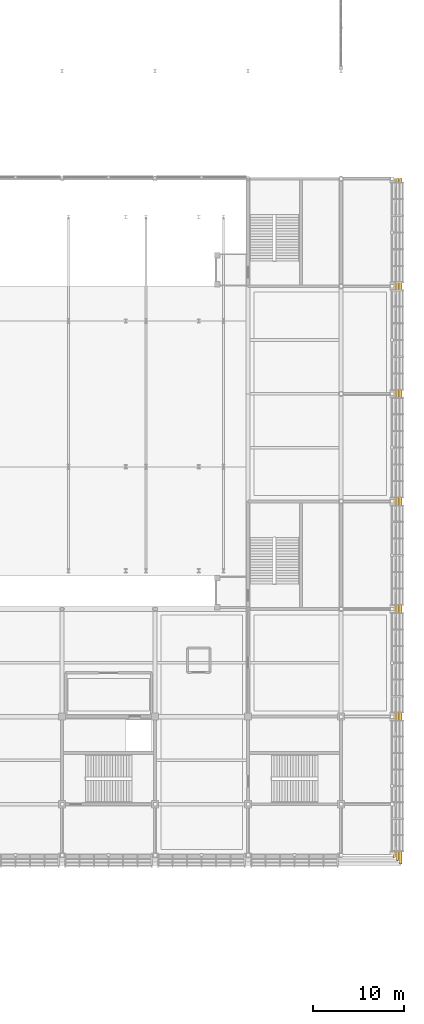
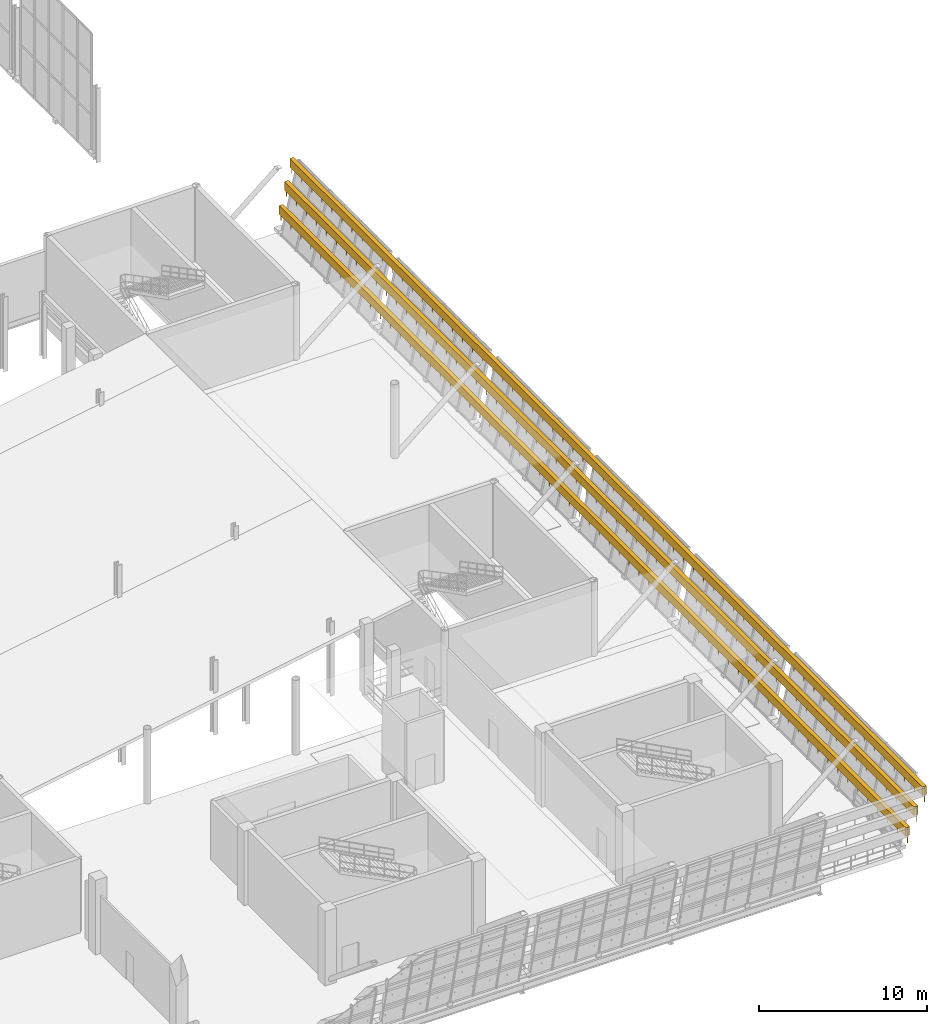
# One storey, part 169 of 175: 3 railings.
"""IFC4 building model written with IfcOpenShell, lengths in metres."""

from ifc_helpers import new_model, si_unit, direction, frame, origin, origin_2d, place, context, subcontext, project, spatial, rectangle, circle, extrude, material, type_object, element, save


model = new_model("IFC4")

# Units and contexts
model_context = context("Model", 3, precision=1e-05, world=origin(), true_north=direction((0.0, 1.0)))
body_context = subcontext(model_context, "Body", "Model", "MODEL_VIEW")
ifc_project = project(units=[si_unit("LENGTHUNIT", "METRE"), si_unit("AREAUNIT", "SQUARE_METRE"), si_unit("VOLUMEUNIT", "CUBIC_METRE"), si_unit("PLANEANGLEUNIT", "RADIAN"), si_unit("MASSUNIT", "GRAM", prefix="KILO")], contexts=[model_context])

# Site, building, storey
site_placement = place(None, origin())
site = spatial("IfcSite", under=ifc_project, at=site_placement, CompositionType="ELEMENT")
building_placement = place(site_placement, origin())
building = spatial("IfcBuilding", under=site, at=building_placement, Name="Brelvane Convention Centre", CompositionType="ELEMENT")
storey_placement = place(building_placement, frame((0.0, 0.0, 5.39990234375)))
storey = spatial("IfcBuildingStorey", under=building, at=storey_placement, Name="L01", CompositionType="ELEMENT", Elevation=5.39990234375)

# Railings
ifc_material = material(Name="Steel E350 (350 MPa)", Category="steel")
railing_type = type_object("IfcRailingType", Name="Railing BL-CU-1", PredefinedType="BALUSTRADE", material=ifc_material)
railing_1_placement = place(storey_placement, frame((230.22802734375, 13.3720703125, 0.800048828125)))
element("IfcRailing", 1, at=railing_1_placement, inside=storey, type_object=railing_type, Name="Railing BL-CU-1 L01-cu_hull_e_1", PredefinedType="BALUSTRADE", context=body_context, shape_type="SweptSolid", body=[
    extrude(rectangle(XDim=0.280029296875, YDim=0.6201171875, at=origin_2d()), frame((0.0, 0.0, 0.81005859375), z_axis=(0.0, 1.0, 0.0), x_axis=(-1.0, 0.0, 0.0)), (0.0, 0.0, 1.0), 74.427978515625),
    extrude(circle(Radius=0.02099609375, at=origin_2d()), origin(), (0.0, 0.0, 1.0), 1.072021484375),
    extrude(circle(Radius=0.02099609375, at=origin_2d()), frame((0.0, 1.181396484375, 0.0)), (0.0, 0.0, 1.0), 1.072021484375),
    extrude(circle(Radius=0.02099609375, at=origin_2d()), frame((0.0, 2.36279296875, 0.0)), (0.0, 0.0, 1.0), 1.072021484375),
    extrude(circle(Radius=0.02099609375, at=origin_2d()), frame((0.0, 3.544189453125, 0.0)), (0.0, 0.0, 1.0), 1.072021484375),
    extrude(circle(Radius=0.02099609375, at=origin_2d()), frame((0.0, 4.7255859375, 0.0)), (0.0, 0.0, 1.0), 1.072021484375),
    extrude(circle(Radius=0.02099609375, at=origin_2d()), frame((0.0, 5.906982421875, 0.0)), (0.0, 0.0, 1.0), 1.072021484375),
    extrude(circle(Radius=0.02099609375, at=origin_2d()), frame((0.0, 7.08837890625, 0.0)), (0.0, 0.0, 1.0), 1.072021484375),
    extrude(circle(Radius=0.02099609375, at=origin_2d()), frame((0.0, 8.269775390625, 0.0)), (0.0, 0.0, 1.0), 1.072021484375),
    extrude(circle(Radius=0.02099609375, at=origin_2d()), frame((0.0, 9.451171875, 0.0)), (0.0, 0.0, 1.0), 1.072021484375),
    extrude(circle(Radius=0.02099609375, at=origin_2d()), frame((0.0, 10.632568359375, 0.0)), (0.0, 0.0, 1.0), 1.072021484375),
    extrude(circle(Radius=0.02099609375, at=origin_2d()), frame((0.0, 11.81396484375, 0.0)), (0.0, 0.0, 1.0), 1.072021484375),
    extrude(circle(Radius=0.02099609375, at=origin_2d()), frame((0.0, 12.995361328125, 0.0)), (0.0, 0.0, 1.0), 1.072021484375),
    extrude(circle(Radius=0.02099609375, at=origin_2d()), frame((0.0, 14.1767578125, 0.0)), (0.0, 0.0, 1.0), 1.072021484375),
    extrude(circle(Radius=0.02099609375, at=origin_2d()), frame((0.0, 15.358154296875, 0.0)), (0.0, 0.0, 1.0), 1.072021484375),
    extrude(circle(Radius=0.02099609375, at=origin_2d()), frame((0.0, 16.53955078125, 0.0)), (0.0, 0.0, 1.0), 1.072021484375),
    extrude(circle(Radius=0.02099609375, at=origin_2d()), frame((0.0, 17.720947265625, 0.0)), (0.0, 0.0, 1.0), 1.072021484375),
    extrude(circle(Radius=0.02099609375, at=origin_2d()), frame((0.0, 18.90234375, 0.0)), (0.0, 0.0, 1.0), 1.072021484375),
    extrude(circle(Radius=0.02099609375, at=origin_2d()), frame((0.0, 20.083740234375, 0.0)), (0.0, 0.0, 1.0), 1.072021484375),
    extrude(circle(Radius=0.02099609375, at=origin_2d()), frame((0.0, 21.26513671875, 0.0)), (0.0, 0.0, 1.0), 1.072021484375),
    extrude(circle(Radius=0.02099609375, at=origin_2d()), frame((0.0, 22.446533203125, 0.0)), (0.0, 0.0, 1.0), 1.072021484375),
    extrude(circle(Radius=0.02099609375, at=origin_2d()), frame((0.0, 23.6279296875, 0.0)), (0.0, 0.0, 1.0), 1.072021484375),
    extrude(circle(Radius=0.02099609375, at=origin_2d()), frame((0.0, 24.809326171875, 0.0)), (0.0, 0.0, 1.0), 1.072021484375),
    extrude(circle(Radius=0.02099609375, at=origin_2d()), frame((0.0, 25.99072265625, 0.0)), (0.0, 0.0, 1.0), 1.072021484375),
    extrude(circle(Radius=0.02099609375, at=origin_2d()), frame((0.0, 27.172119140625, 0.0)), (0.0, 0.0, 1.0), 1.072021484375),
    extrude(circle(Radius=0.02099609375, at=origin_2d()), frame((0.0, 28.353515625, 0.0)), (0.0, 0.0, 1.0), 1.072021484375),
    extrude(circle(Radius=0.02099609375, at=origin_2d()), frame((0.0, 29.534912109375, 0.0)), (0.0, 0.0, 1.0), 1.072021484375),
    extrude(circle(Radius=0.02099609375, at=origin_2d()), frame((0.0, 30.71630859375, 0.0)), (0.0, 0.0, 1.0), 1.072021484375),
    extrude(circle(Radius=0.02099609375, at=origin_2d()), frame((0.0, 31.897705078125, 0.0)), (0.0, 0.0, 1.0), 1.072021484375),
    extrude(circle(Radius=0.02099609375, at=origin_2d()), frame((0.0, 33.0791015625, 0.0)), (0.0, 0.0, 1.0), 1.072021484375),
    extrude(circle(Radius=0.02099609375, at=origin_2d()), frame((0.0, 34.260498046875, 0.0)), (0.0, 0.0, 1.0), 1.072021484375),
    extrude(circle(Radius=0.02099609375, at=origin_2d()), frame((0.0, 35.44189453125, 0.0)), (0.0, 0.0, 1.0), 1.072021484375),
    extrude(circle(Radius=0.02099609375, at=origin_2d()), frame((0.0, 36.623291015625, 0.0)), (0.0, 0.0, 1.0), 1.072021484375),
    extrude(circle(Radius=0.02099609375, at=origin_2d()), frame((0.0, 37.8046875, 0.0)), (0.0, 0.0, 1.0), 1.072021484375),
    extrude(circle(Radius=0.02099609375, at=origin_2d()), frame((0.0, 38.986083984375, 0.0)), (0.0, 0.0, 1.0), 1.072021484375),
    extrude(circle(Radius=0.02099609375, at=origin_2d()), frame((0.0, 40.16748046875, 0.0)), (0.0, 0.0, 1.0), 1.072021484375),
    extrude(circle(Radius=0.02099609375, at=origin_2d()), frame((0.0, 41.348876953125, 0.0)), (0.0, 0.0, 1.0), 1.072021484375),
    extrude(circle(Radius=0.02099609375, at=origin_2d()), frame((0.0, 42.5302734375, 0.0)), (0.0, 0.0, 1.0), 1.072021484375),
    extrude(circle(Radius=0.02099609375, at=origin_2d()), frame((0.0, 43.711669921875, 0.0)), (0.0, 0.0, 1.0), 1.072021484375),
    extrude(circle(Radius=0.02099609375, at=origin_2d()), frame((0.0, 44.89306640625, 0.0)), (0.0, 0.0, 1.0), 1.072021484375),
    extrude(circle(Radius=0.02099609375, at=origin_2d()), frame((0.0, 46.074462890625, 0.0)), (0.0, 0.0, 1.0), 1.072021484375),
    extrude(circle(Radius=0.02099609375, at=origin_2d()), frame((0.0, 47.255859375, 0.0)), (0.0, 0.0, 1.0), 1.072021484375),
    extrude(circle(Radius=0.02099609375, at=origin_2d()), frame((0.0, 48.437255859375, 0.0)), (0.0, 0.0, 1.0), 1.072021484375),
    extrude(circle(Radius=0.02099609375, at=origin_2d()), frame((0.0, 49.61865234375, 0.0)), (0.0, 0.0, 1.0), 1.072021484375),
    extrude(circle(Radius=0.02099609375, at=origin_2d()), frame((0.0, 50.800048828125, 0.0)), (0.0, 0.0, 1.0), 1.072021484375),
    extrude(circle(Radius=0.02099609375, at=origin_2d()), frame((0.0, 51.9814453125, 0.0)), (0.0, 0.0, 1.0), 1.072021484375),
    extrude(circle(Radius=0.02099609375, at=origin_2d()), frame((0.0, 53.162841796875, 0.0)), (0.0, 0.0, 1.0), 1.072021484375),
    extrude(circle(Radius=0.02099609375, at=origin_2d()), frame((0.0, 54.34423828125, 0.0)), (0.0, 0.0, 1.0), 1.072021484375),
    extrude(circle(Radius=0.02099609375, at=origin_2d()), frame((0.0, 55.525634765625, 0.0)), (0.0, 0.0, 1.0), 1.072021484375),
    extrude(circle(Radius=0.02099609375, at=origin_2d()), frame((0.0, 56.70703125, 0.0)), (0.0, 0.0, 1.0), 1.072021484375),
    extrude(circle(Radius=0.02099609375, at=origin_2d()), frame((0.0, 57.888427734375, 0.0)), (0.0, 0.0, 1.0), 1.072021484375),
    extrude(circle(Radius=0.02099609375, at=origin_2d()), frame((0.0, 59.06982421875, 0.0)), (0.0, 0.0, 1.0), 1.072021484375),
    extrude(circle(Radius=0.02099609375, at=origin_2d()), frame((0.0, 60.251220703125, 0.0)), (0.0, 0.0, 1.0), 1.072021484375),
    extrude(circle(Radius=0.02099609375, at=origin_2d()), frame((0.0, 61.4326171875, 0.0)), (0.0, 0.0, 1.0), 1.072021484375),
    extrude(circle(Radius=0.02099609375, at=origin_2d()), frame((0.0, 62.614013671875, 0.0)), (0.0, 0.0, 1.0), 1.072021484375),
    extrude(circle(Radius=0.02099609375, at=origin_2d()), frame((0.0, 63.79541015625, 0.0)), (0.0, 0.0, 1.0), 1.072021484375),
    extrude(circle(Radius=0.02099609375, at=origin_2d()), frame((0.0, 64.976806640625, 0.0)), (0.0, 0.0, 1.0), 1.072021484375),
    extrude(circle(Radius=0.02099609375, at=origin_2d()), frame((0.0, 66.158203125, 0.0)), (0.0, 0.0, 1.0), 1.072021484375),
    extrude(circle(Radius=0.02099609375, at=origin_2d()), frame((0.0, 67.339599609375, 0.0)), (0.0, 0.0, 1.0), 1.072021484375),
    extrude(circle(Radius=0.02099609375, at=origin_2d()), frame((0.0, 68.52099609375, 0.0)), (0.0, 0.0, 1.0), 1.072021484375),
    extrude(circle(Radius=0.02099609375, at=origin_2d()), frame((0.0, 69.702392578125, 0.0)), (0.0, 0.0, 1.0), 1.072021484375),
    extrude(circle(Radius=0.02099609375, at=origin_2d()), frame((0.0, 70.8837890625, 0.0)), (0.0, 0.0, 1.0), 1.072021484375),
    extrude(circle(Radius=0.02099609375, at=origin_2d()), frame((0.0, 72.065185546875, 0.0)), (0.0, 0.0, 1.0), 1.072021484375),
    extrude(circle(Radius=0.02099609375, at=origin_2d()), frame((0.0, 73.24658203125, 0.0)), (0.0, 0.0, 1.0), 1.072021484375),
    extrude(circle(Radius=0.02099609375, at=origin_2d()), frame((0.0, 74.427978515625, 0.0)), (0.0, 0.0, 1.0), 1.072021484375),
])
railing_2_placement = place(storey_placement, frame((230.60302734375, 12.9970703125, 2.400146484375)))
element("IfcRailing", 2, at=railing_2_placement, inside=storey, type_object=railing_type, Name="Railing BL-CU-1 L01-cu_hull_e_2", PredefinedType="BALUSTRADE", context=body_context, shape_type="SweptSolid", body=[
    extrude(rectangle(XDim=0.280029296875, YDim=0.6201171875, at=origin_2d()), frame((0.0, 0.0, 0.81005859375), z_axis=(0.0, 1.0, 0.0), x_axis=(-1.0, 0.0, 0.0)), (0.0, 0.0, 1.0), 74.802978515625),
    extrude(circle(Radius=0.02099609375, at=origin_2d()), origin(), (0.0, 0.0, 1.0), 1.072021484375),
    extrude(circle(Radius=0.02099609375, at=origin_2d()), frame((0.0, 1.187255859375, 0.0)), (0.0, 0.0, 1.0), 1.072021484375),
    extrude(circle(Radius=0.02099609375, at=origin_2d()), frame((0.0, 2.374755859375, 0.0)), (0.0, 0.0, 1.0), 1.072021484375),
    extrude(circle(Radius=0.02099609375, at=origin_2d()), frame((0.0, 3.56201171875, 0.0)), (0.0, 0.0, 1.0), 1.072021484375),
    extrude(circle(Radius=0.02099609375, at=origin_2d()), frame((0.0, 4.74951171875, 0.0)), (0.0, 0.0, 1.0), 1.072021484375),
    extrude(circle(Radius=0.02099609375, at=origin_2d()), frame((0.0, 5.936767578125, 0.0)), (0.0, 0.0, 1.0), 1.072021484375),
    extrude(circle(Radius=0.02099609375, at=origin_2d()), frame((0.0, 7.1240234375, 0.0)), (0.0, 0.0, 1.0), 1.072021484375),
    extrude(circle(Radius=0.02099609375, at=origin_2d()), frame((0.0, 8.3115234375, 0.0)), (0.0, 0.0, 1.0), 1.072021484375),
    extrude(circle(Radius=0.02099609375, at=origin_2d()), frame((0.0, 9.498779296875, 0.0)), (0.0, 0.0, 1.0), 1.072021484375),
    extrude(circle(Radius=0.02099609375, at=origin_2d()), frame((0.0, 10.68603515625, 0.0)), (0.0, 0.0, 1.0), 1.072021484375),
    extrude(circle(Radius=0.02099609375, at=origin_2d()), frame((0.0, 11.87353515625, 0.0)), (0.0, 0.0, 1.0), 1.072021484375),
    extrude(circle(Radius=0.02099609375, at=origin_2d()), frame((0.0, 13.060791015625, 0.0)), (0.0, 0.0, 1.0), 1.072021484375),
    extrude(circle(Radius=0.02099609375, at=origin_2d()), frame((0.0, 14.248291015625, 0.0)), (0.0, 0.0, 1.0), 1.072021484375),
    extrude(circle(Radius=0.02099609375, at=origin_2d()), frame((0.0, 15.435546875, 0.0)), (0.0, 0.0, 1.0), 1.072021484375),
    extrude(circle(Radius=0.02099609375, at=origin_2d()), frame((0.0, 16.622802734375, 0.0)), (0.0, 0.0, 1.0), 1.072021484375),
    extrude(circle(Radius=0.02099609375, at=origin_2d()), frame((0.0, 17.810302734375, 0.0)), (0.0, 0.0, 1.0), 1.072021484375),
    extrude(circle(Radius=0.02099609375, at=origin_2d()), frame((0.0, 18.99755859375, 0.0)), (0.0, 0.0, 1.0), 1.072021484375),
    extrude(circle(Radius=0.02099609375, at=origin_2d()), frame((0.0, 20.184814453125, 0.0)), (0.0, 0.0, 1.0), 1.072021484375),
    extrude(circle(Radius=0.02099609375, at=origin_2d()), frame((0.0, 21.372314453125, 0.0)), (0.0, 0.0, 1.0), 1.072021484375),
    extrude(circle(Radius=0.02099609375, at=origin_2d()), frame((0.0, 22.5595703125, 0.0)), (0.0, 0.0, 1.0), 1.072021484375),
    extrude(circle(Radius=0.02099609375, at=origin_2d()), frame((0.0, 23.7470703125, 0.0)), (0.0, 0.0, 1.0), 1.072021484375),
    extrude(circle(Radius=0.02099609375, at=origin_2d()), frame((0.0, 24.934326171875, 0.0)), (0.0, 0.0, 1.0), 1.072021484375),
    extrude(circle(Radius=0.02099609375, at=origin_2d()), frame((0.0, 26.12158203125, 0.0)), (0.0, 0.0, 1.0), 1.072021484375),
    extrude(circle(Radius=0.02099609375, at=origin_2d()), frame((0.0, 27.30908203125, 0.0)), (0.0, 0.0, 1.0), 1.072021484375),
    extrude(circle(Radius=0.02099609375, at=origin_2d()), frame((0.0, 28.496337890625, 0.0)), (0.0, 0.0, 1.0), 1.072021484375),
    extrude(circle(Radius=0.02099609375, at=origin_2d()), frame((0.0, 29.683837890625, 0.0)), (0.0, 0.0, 1.0), 1.072021484375),
    extrude(circle(Radius=0.02099609375, at=origin_2d()), frame((0.0, 30.87109375, 0.0)), (0.0, 0.0, 1.0), 1.072021484375),
    extrude(circle(Radius=0.02099609375, at=origin_2d()), frame((0.0, 32.058349609375, 0.0)), (0.0, 0.0, 1.0), 1.072021484375),
    extrude(circle(Radius=0.02099609375, at=origin_2d()), frame((0.0, 33.245849609375, 0.0)), (0.0, 0.0, 1.0), 1.072021484375),
    extrude(circle(Radius=0.02099609375, at=origin_2d()), frame((0.0, 34.43310546875, 0.0)), (0.0, 0.0, 1.0), 1.072021484375),
    extrude(circle(Radius=0.02099609375, at=origin_2d()), frame((0.0, 35.620361328125, 0.0)), (0.0, 0.0, 1.0), 1.072021484375),
    extrude(circle(Radius=0.02099609375, at=origin_2d()), frame((0.0, 36.807861328125, 0.0)), (0.0, 0.0, 1.0), 1.072021484375),
    extrude(circle(Radius=0.02099609375, at=origin_2d()), frame((0.0, 37.9951171875, 0.0)), (0.0, 0.0, 1.0), 1.072021484375),
    extrude(circle(Radius=0.02099609375, at=origin_2d()), frame((0.0, 39.1826171875, 0.0)), (0.0, 0.0, 1.0), 1.072021484375),
    extrude(circle(Radius=0.02099609375, at=origin_2d()), frame((0.0, 40.369873046875, 0.0)), (0.0, 0.0, 1.0), 1.072021484375),
    extrude(circle(Radius=0.02099609375, at=origin_2d()), frame((0.0, 41.55712890625, 0.0)), (0.0, 0.0, 1.0), 1.072021484375),
    extrude(circle(Radius=0.02099609375, at=origin_2d()), frame((0.0, 42.74462890625, 0.0)), (0.0, 0.0, 1.0), 1.072021484375),
    extrude(circle(Radius=0.02099609375, at=origin_2d()), frame((0.0, 43.931884765625, 0.0)), (0.0, 0.0, 1.0), 1.072021484375),
    extrude(circle(Radius=0.02099609375, at=origin_2d()), frame((0.0, 45.119140625, 0.0)), (0.0, 0.0, 1.0), 1.072021484375),
    extrude(circle(Radius=0.02099609375, at=origin_2d()), frame((0.0, 46.306640625, 0.0)), (0.0, 0.0, 1.0), 1.072021484375),
    extrude(circle(Radius=0.02099609375, at=origin_2d()), frame((0.0, 47.493896484375, 0.0)), (0.0, 0.0, 1.0), 1.072021484375),
    extrude(circle(Radius=0.02099609375, at=origin_2d()), frame((0.0, 48.681396484375, 0.0)), (0.0, 0.0, 1.0), 1.072021484375),
    extrude(circle(Radius=0.02099609375, at=origin_2d()), frame((0.0, 49.86865234375, 0.0)), (0.0, 0.0, 1.0), 1.072021484375),
    extrude(circle(Radius=0.02099609375, at=origin_2d()), frame((0.0, 51.055908203125, 0.0)), (0.0, 0.0, 1.0), 1.072021484375),
    extrude(circle(Radius=0.02099609375, at=origin_2d()), frame((0.0, 52.243408203125, 0.0)), (0.0, 0.0, 1.0), 1.072021484375),
    extrude(circle(Radius=0.02099609375, at=origin_2d()), frame((0.0, 53.4306640625, 0.0)), (0.0, 0.0, 1.0), 1.072021484375),
    extrude(circle(Radius=0.02099609375, at=origin_2d()), frame((0.0, 54.6181640625, 0.0)), (0.0, 0.0, 1.0), 1.072021484375),
    extrude(circle(Radius=0.02099609375, at=origin_2d()), frame((0.0, 55.805419921875, 0.0)), (0.0, 0.0, 1.0), 1.072021484375),
    extrude(circle(Radius=0.02099609375, at=origin_2d()), frame((0.0, 56.99267578125, 0.0)), (0.0, 0.0, 1.0), 1.072021484375),
    extrude(circle(Radius=0.02099609375, at=origin_2d()), frame((0.0, 58.18017578125, 0.0)), (0.0, 0.0, 1.0), 1.072021484375),
    extrude(circle(Radius=0.02099609375, at=origin_2d()), frame((0.0, 59.367431640625, 0.0)), (0.0, 0.0, 1.0), 1.072021484375),
    extrude(circle(Radius=0.02099609375, at=origin_2d()), frame((0.0, 60.5546875, 0.0)), (0.0, 0.0, 1.0), 1.072021484375),
    extrude(circle(Radius=0.02099609375, at=origin_2d()), frame((0.0, 61.7421875, 0.0)), (0.0, 0.0, 1.0), 1.072021484375),
    extrude(circle(Radius=0.02099609375, at=origin_2d()), frame((0.0, 62.929443359375, 0.0)), (0.0, 0.0, 1.0), 1.072021484375),
    extrude(circle(Radius=0.02099609375, at=origin_2d()), frame((0.0, 64.116943359375, 0.0)), (0.0, 0.0, 1.0), 1.072021484375),
    extrude(circle(Radius=0.02099609375, at=origin_2d()), frame((0.0, 65.30419921875, 0.0)), (0.0, 0.0, 1.0), 1.072021484375),
    extrude(circle(Radius=0.02099609375, at=origin_2d()), frame((0.0, 66.491455078125, 0.0)), (0.0, 0.0, 1.0), 1.072021484375),
    extrude(circle(Radius=0.02099609375, at=origin_2d()), frame((0.0, 67.678955078125, 0.0)), (0.0, 0.0, 1.0), 1.072021484375),
    extrude(circle(Radius=0.02099609375, at=origin_2d()), frame((0.0, 68.8662109375, 0.0)), (0.0, 0.0, 1.0), 1.072021484375),
    extrude(circle(Radius=0.02099609375, at=origin_2d()), frame((0.0, 70.053466796875, 0.0)), (0.0, 0.0, 1.0), 1.072021484375),
    extrude(circle(Radius=0.02099609375, at=origin_2d()), frame((0.0, 71.240966796875, 0.0)), (0.0, 0.0, 1.0), 1.072021484375),
    extrude(circle(Radius=0.02099609375, at=origin_2d()), frame((0.0, 72.42822265625, 0.0)), (0.0, 0.0, 1.0), 1.072021484375),
    extrude(circle(Radius=0.02099609375, at=origin_2d()), frame((0.0, 73.61572265625, 0.0)), (0.0, 0.0, 1.0), 1.072021484375),
    extrude(circle(Radius=0.02099609375, at=origin_2d()), frame((0.0, 74.802978515625, 0.0)), (0.0, 0.0, 1.0), 1.072021484375),
])
railing_3_placement = place(storey_placement, frame((230.966064453125, 12.634033203125, 3.9501953125)))
element("IfcRailing", 3, at=railing_3_placement, inside=storey, type_object=railing_type, Name="Railing BL-CU-1 L01-cu_hull_e_3", PredefinedType="BALUSTRADE", context=body_context, shape_type="SweptSolid", body=[
    extrude(rectangle(XDim=0.280029296875, YDim=0.6201171875, at=origin_2d()), frame((0.0, 0.0, 0.81005859375), z_axis=(0.0, 1.0, 0.0), x_axis=(-1.0, 0.0, 0.0)), (0.0, 0.0, 1.0), 75.166015625),
    extrude(circle(Radius=0.02099609375, at=origin_2d()), origin(), (0.0, 0.0, 1.0), 1.072021484375),
    extrude(circle(Radius=0.02099609375, at=origin_2d()), frame((0.0, 1.193115234375, 0.0)), (0.0, 0.0, 1.0), 1.072021484375),
    extrude(circle(Radius=0.02099609375, at=origin_2d()), frame((0.0, 2.38623046875, 0.0)), (0.0, 0.0, 1.0), 1.072021484375),
    extrude(circle(Radius=0.02099609375, at=origin_2d()), frame((0.0, 3.579345703125, 0.0)), (0.0, 0.0, 1.0), 1.072021484375),
    extrude(circle(Radius=0.02099609375, at=origin_2d()), frame((0.0, 4.7724609375, 0.0)), (0.0, 0.0, 1.0), 1.072021484375),
    extrude(circle(Radius=0.02099609375, at=origin_2d()), frame((0.0, 5.965576171875, 0.0)), (0.0, 0.0, 1.0), 1.072021484375),
    extrude(circle(Radius=0.02099609375, at=origin_2d()), frame((0.0, 7.15869140625, 0.0)), (0.0, 0.0, 1.0), 1.072021484375),
    extrude(circle(Radius=0.02099609375, at=origin_2d()), frame((0.0, 8.351806640625, 0.0)), (0.0, 0.0, 1.0), 1.072021484375),
    extrude(circle(Radius=0.02099609375, at=origin_2d()), frame((0.0, 9.544921875, 0.0)), (0.0, 0.0, 1.0), 1.072021484375),
    extrude(circle(Radius=0.02099609375, at=origin_2d()), frame((0.0, 10.738037109375, 0.0)), (0.0, 0.0, 1.0), 1.072021484375),
    extrude(circle(Radius=0.02099609375, at=origin_2d()), frame((0.0, 11.93115234375, 0.0)), (0.0, 0.0, 1.0), 1.072021484375),
    extrude(circle(Radius=0.02099609375, at=origin_2d()), frame((0.0, 13.124267578125, 0.0)), (0.0, 0.0, 1.0), 1.072021484375),
    extrude(circle(Radius=0.02099609375, at=origin_2d()), frame((0.0, 14.3173828125, 0.0)), (0.0, 0.0, 1.0), 1.072021484375),
    extrude(circle(Radius=0.02099609375, at=origin_2d()), frame((0.0, 15.510498046875, 0.0)), (0.0, 0.0, 1.0), 1.072021484375),
    extrude(circle(Radius=0.02099609375, at=origin_2d()), frame((0.0, 16.70361328125, 0.0)), (0.0, 0.0, 1.0), 1.072021484375),
    extrude(circle(Radius=0.02099609375, at=origin_2d()), frame((0.0, 17.896728515625, 0.0)), (0.0, 0.0, 1.0), 1.072021484375),
    extrude(circle(Radius=0.02099609375, at=origin_2d()), frame((0.0, 19.08984375, 0.0)), (0.0, 0.0, 1.0), 1.072021484375),
    extrude(circle(Radius=0.02099609375, at=origin_2d()), frame((0.0, 20.282958984375, 0.0)), (0.0, 0.0, 1.0), 1.072021484375),
    extrude(circle(Radius=0.02099609375, at=origin_2d()), frame((0.0, 21.47607421875, 0.0)), (0.0, 0.0, 1.0), 1.072021484375),
    extrude(circle(Radius=0.02099609375, at=origin_2d()), frame((0.0, 22.669189453125, 0.0)), (0.0, 0.0, 1.0), 1.072021484375),
    extrude(circle(Radius=0.02099609375, at=origin_2d()), frame((0.0, 23.8623046875, 0.0)), (0.0, 0.0, 1.0), 1.072021484375),
    extrude(circle(Radius=0.02099609375, at=origin_2d()), frame((0.0, 25.055419921875, 0.0)), (0.0, 0.0, 1.0), 1.072021484375),
    extrude(circle(Radius=0.02099609375, at=origin_2d()), frame((0.0, 26.24853515625, 0.0)), (0.0, 0.0, 1.0), 1.072021484375),
    extrude(circle(Radius=0.02099609375, at=origin_2d()), frame((0.0, 27.441650390625, 0.0)), (0.0, 0.0, 1.0), 1.072021484375),
    extrude(circle(Radius=0.02099609375, at=origin_2d()), frame((0.0, 28.634765625, 0.0)), (0.0, 0.0, 1.0), 1.072021484375),
    extrude(circle(Radius=0.02099609375, at=origin_2d()), frame((0.0, 29.827880859375, 0.0)), (0.0, 0.0, 1.0), 1.072021484375),
    extrude(circle(Radius=0.02099609375, at=origin_2d()), frame((0.0, 31.02099609375, 0.0)), (0.0, 0.0, 1.0), 1.072021484375),
    extrude(circle(Radius=0.02099609375, at=origin_2d()), frame((0.0, 32.214111328125, 0.0)), (0.0, 0.0, 1.0), 1.072021484375),
    extrude(circle(Radius=0.02099609375, at=origin_2d()), frame((0.0, 33.4072265625, 0.0)), (0.0, 0.0, 1.0), 1.072021484375),
    extrude(circle(Radius=0.02099609375, at=origin_2d()), frame((0.0, 34.600341796875, 0.0)), (0.0, 0.0, 1.0), 1.072021484375),
    extrude(circle(Radius=0.02099609375, at=origin_2d()), frame((0.0, 35.79345703125, 0.0)), (0.0, 0.0, 1.0), 1.072021484375),
    extrude(circle(Radius=0.02099609375, at=origin_2d()), frame((0.0, 36.986572265625, 0.0)), (0.0, 0.0, 1.0), 1.072021484375),
    extrude(circle(Radius=0.02099609375, at=origin_2d()), frame((0.0, 38.179443359375, 0.0)), (0.0, 0.0, 1.0), 1.072021484375),
    extrude(circle(Radius=0.02099609375, at=origin_2d()), frame((0.0, 39.37255859375, 0.0)), (0.0, 0.0, 1.0), 1.072021484375),
    extrude(circle(Radius=0.02099609375, at=origin_2d()), frame((0.0, 40.565673828125, 0.0)), (0.0, 0.0, 1.0), 1.072021484375),
    extrude(circle(Radius=0.02099609375, at=origin_2d()), frame((0.0, 41.7587890625, 0.0)), (0.0, 0.0, 1.0), 1.072021484375),
    extrude(circle(Radius=0.02099609375, at=origin_2d()), frame((0.0, 42.951904296875, 0.0)), (0.0, 0.0, 1.0), 1.072021484375),
    extrude(circle(Radius=0.02099609375, at=origin_2d()), frame((0.0, 44.14501953125, 0.0)), (0.0, 0.0, 1.0), 1.072021484375),
    extrude(circle(Radius=0.02099609375, at=origin_2d()), frame((0.0, 45.338134765625, 0.0)), (0.0, 0.0, 1.0), 1.072021484375),
    extrude(circle(Radius=0.02099609375, at=origin_2d()), frame((0.0, 46.53125, 0.0)), (0.0, 0.0, 1.0), 1.072021484375),
    extrude(circle(Radius=0.02099609375, at=origin_2d()), frame((0.0, 47.724365234375, 0.0)), (0.0, 0.0, 1.0), 1.072021484375),
    extrude(circle(Radius=0.02099609375, at=origin_2d()), frame((0.0, 48.91748046875, 0.0)), (0.0, 0.0, 1.0), 1.072021484375),
    extrude(circle(Radius=0.02099609375, at=origin_2d()), frame((0.0, 50.110595703125, 0.0)), (0.0, 0.0, 1.0), 1.072021484375),
    extrude(circle(Radius=0.02099609375, at=origin_2d()), frame((0.0, 51.3037109375, 0.0)), (0.0, 0.0, 1.0), 1.072021484375),
    extrude(circle(Radius=0.02099609375, at=origin_2d()), frame((0.0, 52.496826171875, 0.0)), (0.0, 0.0, 1.0), 1.072021484375),
    extrude(circle(Radius=0.02099609375, at=origin_2d()), frame((0.0, 53.68994140625, 0.0)), (0.0, 0.0, 1.0), 1.072021484375),
    extrude(circle(Radius=0.02099609375, at=origin_2d()), frame((0.0, 54.883056640625, 0.0)), (0.0, 0.0, 1.0), 1.072021484375),
    extrude(circle(Radius=0.02099609375, at=origin_2d()), frame((0.0, 56.076171875, 0.0)), (0.0, 0.0, 1.0), 1.072021484375),
    extrude(circle(Radius=0.02099609375, at=origin_2d()), frame((0.0, 57.269287109375, 0.0)), (0.0, 0.0, 1.0), 1.072021484375),
    extrude(circle(Radius=0.02099609375, at=origin_2d()), frame((0.0, 58.46240234375, 0.0)), (0.0, 0.0, 1.0), 1.072021484375),
    extrude(circle(Radius=0.02099609375, at=origin_2d()), frame((0.0, 59.655517578125, 0.0)), (0.0, 0.0, 1.0), 1.072021484375),
    extrude(circle(Radius=0.02099609375, at=origin_2d()), frame((0.0, 60.8486328125, 0.0)), (0.0, 0.0, 1.0), 1.072021484375),
    extrude(circle(Radius=0.02099609375, at=origin_2d()), frame((0.0, 62.041748046875, 0.0)), (0.0, 0.0, 1.0), 1.072021484375),
    extrude(circle(Radius=0.02099609375, at=origin_2d()), frame((0.0, 63.23486328125, 0.0)), (0.0, 0.0, 1.0), 1.072021484375),
    extrude(circle(Radius=0.02099609375, at=origin_2d()), frame((0.0, 64.427978515625, 0.0)), (0.0, 0.0, 1.0), 1.072021484375),
    extrude(circle(Radius=0.02099609375, at=origin_2d()), frame((0.0, 65.62109375, 0.0)), (0.0, 0.0, 1.0), 1.072021484375),
    extrude(circle(Radius=0.02099609375, at=origin_2d()), frame((0.0, 66.814208984375, 0.0)), (0.0, 0.0, 1.0), 1.072021484375),
    extrude(circle(Radius=0.02099609375, at=origin_2d()), frame((0.0, 68.00732421875, 0.0)), (0.0, 0.0, 1.0), 1.072021484375),
    extrude(circle(Radius=0.02099609375, at=origin_2d()), frame((0.0, 69.200439453125, 0.0)), (0.0, 0.0, 1.0), 1.072021484375),
    extrude(circle(Radius=0.02099609375, at=origin_2d()), frame((0.0, 70.3935546875, 0.0)), (0.0, 0.0, 1.0), 1.072021484375),
    extrude(circle(Radius=0.02099609375, at=origin_2d()), frame((0.0, 71.586669921875, 0.0)), (0.0, 0.0, 1.0), 1.072021484375),
    extrude(circle(Radius=0.02099609375, at=origin_2d()), frame((0.0, 72.77978515625, 0.0)), (0.0, 0.0, 1.0), 1.072021484375),
    extrude(circle(Radius=0.02099609375, at=origin_2d()), frame((0.0, 73.972900390625, 0.0)), (0.0, 0.0, 1.0), 1.072021484375),
    extrude(circle(Radius=0.02099609375, at=origin_2d()), frame((0.0, 75.166015625, 0.0)), (0.0, 0.0, 1.0), 1.072021484375),
])

save(model, "model.ifc")
